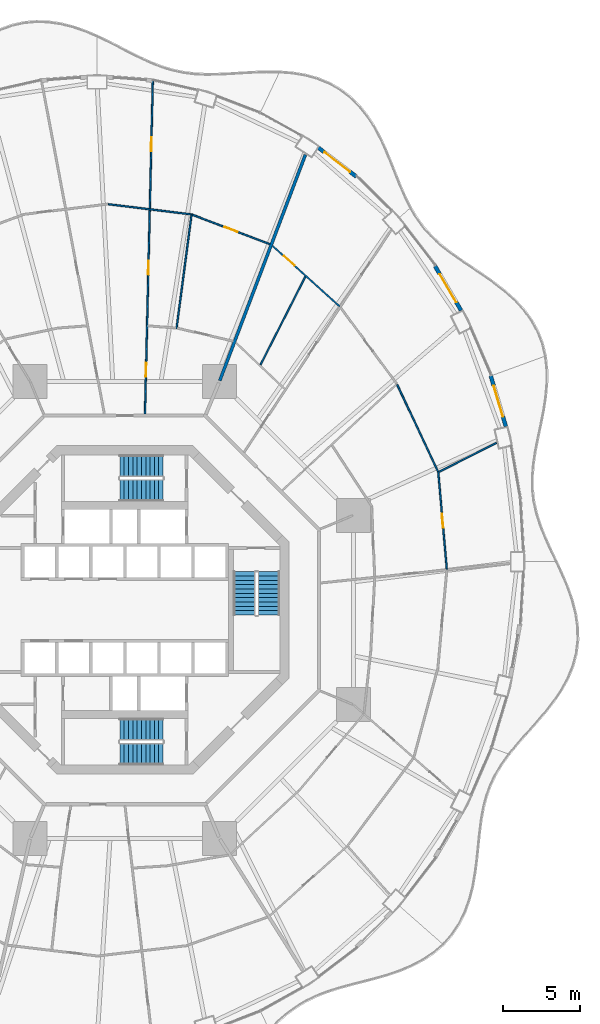
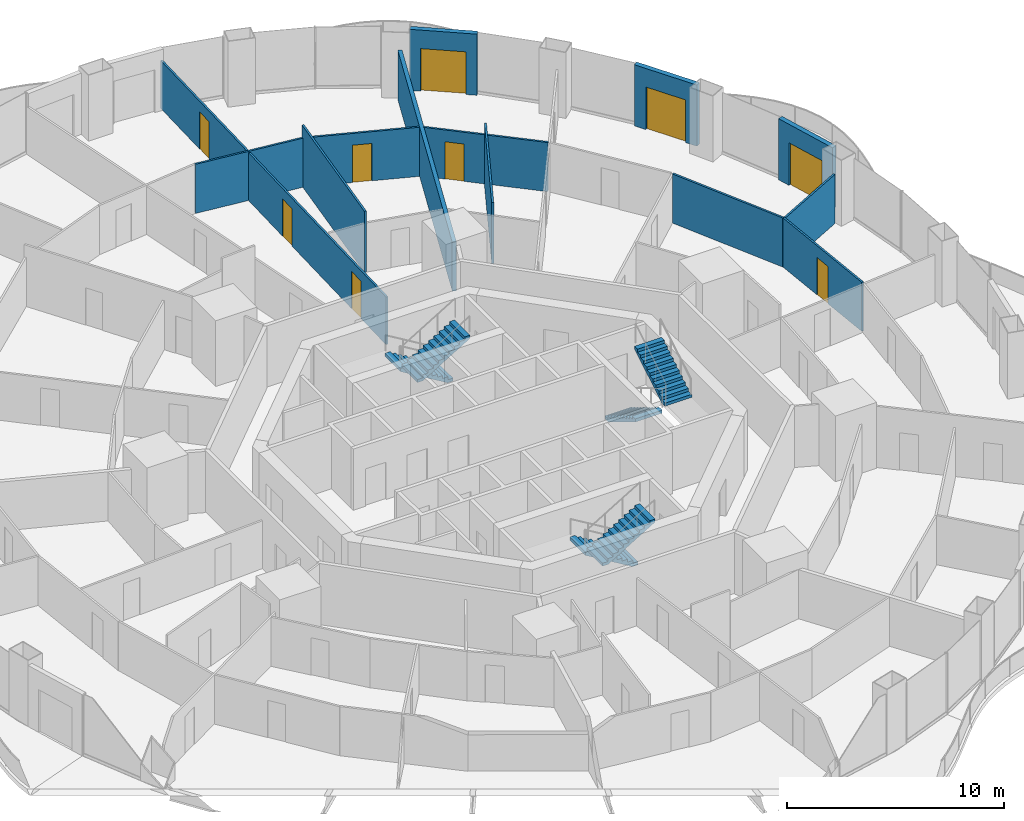
# One storey, part 19 of 22: 13 walls, 9 doors, 6 stair flights, 9 openings, 3 elements without a shape of their own.
"""IFC4 building model written with IfcOpenShell, lengths in metres."""

from ifc_helpers import new_model, si_unit, direction, frame, frame_2d, origin, place, context, subcontext, project, spatial, polyline, rectangle, outline, extrude, material, layer, layer_set, type_object, element, fill, aggregate, save


model = new_model("IFC4")

# Units and contexts
model_context = context("Model", 3, precision=1e-05, world=origin(), true_north=direction((0.0, 1.0)))
body_context = subcontext(model_context, "Body", "Model", "MODEL_VIEW")
ifc_project = project(units=[si_unit("LENGTHUNIT", "METRE"), si_unit("AREAUNIT", "SQUARE_METRE"), si_unit("VOLUMEUNIT", "CUBIC_METRE"), si_unit("PLANEANGLEUNIT", "RADIAN"), si_unit("MASSUNIT", "GRAM", prefix="KILO")], contexts=[model_context])

# Site, building, storey
site_placement = place(None, origin())
site = spatial("IfcSite", under=ifc_project, at=site_placement, CompositionType="ELEMENT")
building_placement = place(site_placement, origin())
building = spatial("IfcBuilding", under=site, at=building_placement, Name="Nagisa Residences", CompositionType="ELEMENT")
storey_placement = place(building_placement, frame((0.0, 0.0, 106.60009765625)))
storey = spatial("IfcBuildingStorey", under=building, at=storey_placement, Name="L26", CompositionType="ELEMENT", Elevation=106.60009765625)

# Wall
ifc_material_1 = material(Name="Gypsum board on steel studs", Category="steel")
ifc_layer_1 = layer(ifc_material_1, 0.199951171875)
ifc_layer_set_1 = layer_set([ifc_layer_1], Name="Apartment compartment wall EI60 200")
wall_type_1 = type_object("IfcWallType", Name="Apartment compartment wall EI60 200", PredefinedType="PARTITIONING", material=ifc_layer_set_1)
wall_1_placement = place(storey_placement, frame((6.140625, 14.828857421875, 0.0), z_axis=(0.0, 0.0, 1.0), x_axis=(0.354477134193, 0.935064682968, 0.0)))
element("IfcWall", 1, at=wall_1_placement, inside=storey, type_object=wall_type_1, Name="wall:L26:u01", PredefinedType="PARTITIONING", context=body_context, shape_type="SweptSolid", body=[
    extrude(rectangle(XDim=15.6259765625, YDim=0.199951171875, at=frame_2d((7.81298828125, 0.0))), origin(), (0.0, 0.0, 1.0), 2.761962890625),
])

# Wall, opening, door
ifc_material_2 = material(Name="Gypsum board on steel studs", Category="steel")
ifc_layer_2 = layer(ifc_material_2, 0.10009765625)
ifc_layer_set_2 = layer_set([ifc_layer_2], Name="Apartment partition 100")
wall_type_2 = type_object("IfcWallType", Name="Apartment partition 100", PredefinedType="PARTITIONING", material=ifc_layer_set_2)
wall_2_placement = place(storey_placement, frame((20.8251953125, 2.64208984375, 0.0), z_axis=(0.0, 0.0, 1.0), x_axis=(-0.08776338161, 0.996141349834, 0.0)))
wall_2 = element("IfcWall", 2, at=wall_2_placement, inside=storey, type_object=wall_type_2, Name="wall:L26:u19", PredefinedType="PARTITIONING", context=body_context, shape_type="SweptSolid", body=[
    extrude(rectangle(XDim=6.3369140625, YDim=0.10009765625, at=frame_2d((3.16845703125, 0.0))), origin(), (0.0, 0.0, 1.0), 2.761962890625),
])
opening_1_placement = place(wall_2_placement, frame((2.693603515625, 0.0, 0.0)))
opening_1 = element("IfcOpeningElement", 3, at=opening_1_placement, cuts=wall_2, Name="Opening L26-U13", PredefinedType="OPENING", context=body_context, shape_type="SweptSolid", body=[
    extrude(rectangle(XDim=0.89990234375, YDim=2.10009765625, at=frame_2d((0.449951171875, 1.050048828125))), frame((0.0, 0.06005859375, 0.0), z_axis=(0.0, -1.0, 0.0), x_axis=(1.0, 0.0, 0.0)), (0.0, 0.0, 1.0), 0.1201171875),
])
ifc_material_3 = material(Name="Timber door set", Category="wood")
door_type_1 = type_object("IfcDoorType", Name="Apartment door 900x2100", OperationType="NOTDEFINED", PredefinedType="DOOR", material=ifc_material_3)
door_1_placement = place(opening_1_placement, frame((0.89990234375, 0.0, 0.0), x_axis=(-1.0, 0.0, 0.0)))
door_1 = element("IfcDoor", 4, at=door_1_placement, inside=storey, type_object=door_type_1, Name="Door to bedroom, Apartment 26B", OperationType="SINGLE_SWING_RIGHT", OverallHeight=2.10009765625, OverallWidth=0.89990234375, PredefinedType="DOOR", context=body_context, shape_type="SweptSolid", body=[
    extrude(rectangle(XDim=0.89990234375, YDim=2.10009765625, at=frame_2d((0.449951171875, 1.050048828125))), frame((0.0, 0.02490234375, 0.0), z_axis=(0.0, -1.0, 0.0), x_axis=(1.0, 0.0, 0.0)), (0.0, 0.0, 1.0), 0.050048828125),
])
fill(opening_1, door_1)

# Walls
wall_3_placement = place(storey_placement, frame((20.318115234375, 8.92724609375, 0.0), z_axis=(0.0, 0.0, 1.0), x_axis=(0.892057836959, 0.451921249246, 0.0)))
element("IfcWall", 5, at=wall_3_placement, inside=storey, type_object=wall_type_2, Name="wall:L26:u23", PredefinedType="PARTITIONING", context=body_context, shape_type="SweptSolid", body=[
    extrude(rectangle(XDim=4.1640625, YDim=0.10009765625, at=frame_2d((2.08203125, 0.0))), origin(), (0.0, 0.0, 1.0), 2.761962890625),
])
wall_4_placement = place(storey_placement, frame((20.252197265625, 8.949951171875, 0.0), z_axis=(0.0, 0.0, 1.0), x_axis=(-0.424580052627, 0.90539040138, 0.0)))
element("IfcWall", 6, at=wall_4_placement, inside=storey, type_object=wall_type_2, Name="wall:L26:u24", PredefinedType="PARTITIONING", context=body_context, shape_type="SweptSolid", body=[
    extrude(rectangle(XDim=6.204345703125, YDim=0.10009765625, at=frame_2d((3.10205078125, 0.0))), origin(), (0.0, 0.0, 1.0), 2.761962890625),
])

# Wall, opening, door
wall_5_placement = place(storey_placement, frame((13.8984375, 19.625244140625, 0.0), z_axis=(0.0, 0.0, 1.0), x_axis=(-0.742396654702, 0.669960601146, 0.0)))
wall_5 = element("IfcWall", 7, at=wall_5_placement, inside=storey, type_object=wall_type_2, Name="wall:L26:u29", PredefinedType="PARTITIONING", context=body_context, shape_type="SweptSolid", body=[
    extrude(rectangle(XDim=5.861083984375, YDim=0.10009765625, at=frame_2d((2.9306640625, 0.0))), origin(), (0.0, 0.0, 1.0), 2.761962890625),
])
opening_2_placement = place(wall_5_placement, frame((3.95849609375, 0.0, 0.0)))
opening_2 = element("IfcOpeningElement", 8, at=opening_2_placement, cuts=wall_5, Name="Opening L26-U18", PredefinedType="OPENING", context=body_context, shape_type="SweptSolid", body=[
    extrude(rectangle(XDim=0.89990234375, YDim=2.10009765625, at=frame_2d((0.449951171875, 1.050048828125))), frame((0.0, 0.06005859375, 0.0), z_axis=(0.0, -1.0, 0.0), x_axis=(1.0, 0.0, 0.0)), (0.0, 0.0, 1.0), 0.1201171875),
])
door_2_placement = place(opening_2_placement, origin())
door_2 = element("IfcDoor", 9, at=door_2_placement, inside=storey, type_object=door_type_1, Name="Door to en-suite bathroom, Apartment 26B", OperationType="SINGLE_SWING_RIGHT", OverallHeight=2.10009765625, OverallWidth=0.89990234375, PredefinedType="DOOR", context=body_context, shape_type="SweptSolid", body=[
    extrude(rectangle(XDim=0.89990234375, YDim=2.10009765625, at=frame_2d((0.449951171875, 1.050048828125))), frame((0.0, 0.02490234375, 0.0), z_axis=(0.0, -1.0, 0.0), x_axis=(1.0, 0.0, 0.0)), (0.0, 0.0, 1.0), 0.050048828125),
])
fill(opening_2, door_2)

# Wall
wall_6_placement = place(storey_placement, frame((8.769287109375, 15.84619140625, 0.0), z_axis=(0.0, 0.0, 1.0), x_axis=(0.454067187552, 0.890967445639, 0.0)))
element("IfcWall", 10, at=wall_6_placement, inside=storey, type_object=wall_type_2, Name="wall:L26:u30", PredefinedType="PARTITIONING", context=body_context, shape_type="SweptSolid", body=[
    extrude(rectangle(XDim=6.413818359375, YDim=0.10009765625, at=frame_2d((3.20703125, 0.0))), origin(), (0.0, 0.0, 1.0), 3.43994140625),
])

# Wall, opening, door
wall_7_placement = place(storey_placement, frame((9.37939453125, 23.654541015625, 0.0), z_axis=(0.0, 0.0, 1.0), x_axis=(-0.934613076136, 0.355666132653, 0.0)))
wall_7 = element("IfcWall", 11, at=wall_7_placement, inside=storey, type_object=wall_type_2, Name="wall:L26:u32", PredefinedType="PARTITIONING", context=body_context, shape_type="SweptSolid", body=[
    extrude(rectangle(XDim=5.366455078125, YDim=0.10009765625, at=frame_2d((2.68310546875, 0.0))), origin(), (0.0, 0.0, 1.0), 2.761962890625),
])
opening_3_placement = place(wall_7_placement, frame((2.2333984375, 0.0, 0.0)))
opening_3 = element("IfcOpeningElement", 12, at=opening_3_placement, cuts=wall_7, Name="Opening L26-U35", PredefinedType="OPENING", context=body_context, shape_type="SweptSolid", body=[
    extrude(rectangle(XDim=0.89990234375, YDim=2.10009765625, at=frame_2d((0.449951171875, 1.050048828125))), frame((0.0, 0.06005859375, 0.0), z_axis=(0.0, -1.0, 0.0), x_axis=(1.0, 0.0, 0.0)), (0.0, 0.0, 1.0), 0.1201171875),
])
door_3_placement = place(opening_3_placement, frame((0.89990234375, 0.0, 0.0), x_axis=(-1.0, 0.0, 0.0)))
door_3 = element("IfcDoor", 13, at=door_3_placement, inside=storey, type_object=door_type_1, Name="Door to family room, Apartment 26C", OperationType="SINGLE_SWING_RIGHT", OverallHeight=2.10009765625, OverallWidth=0.89990234375, PredefinedType="DOOR", context=body_context, shape_type="SweptSolid", body=[
    extrude(rectangle(XDim=0.89990234375, YDim=2.10009765625, at=frame_2d((0.449951171875, 1.050048828125))), frame((0.0, 0.02490234375, 0.0), z_axis=(0.0, -1.0, 0.0), x_axis=(1.0, 0.0, 0.0)), (0.0, 0.0, 1.0), 0.050048828125),
])
fill(opening_3, door_3)

# Walls
wall_8_placement = place(storey_placement, frame((3.342529296875, 18.18359375, 0.0), z_axis=(0.0, 0.0, 1.0), x_axis=(0.130596603503, 0.991435589009, 0.0)))
element("IfcWall", 14, at=wall_8_placement, inside=storey, type_object=wall_type_2, Name="wall:L26:u33", PredefinedType="PARTITIONING", context=body_context, shape_type="SweptSolid", body=[
    extrude(rectangle(XDim=7.51123046875, YDim=0.10009765625, at=frame_2d((3.755615234375, 0.0))), origin(), (0.0, 0.0, 1.0), 3.43994140625),
])
wall_9_placement = place(storey_placement, frame((4.267333984375, 25.587158203125, 0.0), z_axis=(0.0, 0.0, 1.0), x_axis=(-0.992576206119, 0.121624319302, 0.0)))
element("IfcWall", 15, at=wall_9_placement, inside=storey, type_object=wall_type_2, Name="wall:L26:u35", PredefinedType="PARTITIONING", context=body_context, shape_type="SweptSolid", body=[
    extrude(rectangle(XDim=5.37353515625, YDim=0.10009765625, at=frame_2d((2.686767578125, 0.0))), origin(), (0.0, 0.0, 1.0), 2.761962890625),
])

# Wall, openings, doors
wall_10_placement = place(storey_placement, frame((1.303466796875, 12.664794921875, 0.0), z_axis=(0.0, 0.0, 1.0), x_axis=(0.023564110689, 0.999722327793, 0.0)))
wall_10 = element("IfcWall", 16, at=wall_10_placement, inside=storey, type_object=wall_type_2, Name="wall:L26:u36", PredefinedType="PARTITIONING", context=body_context, shape_type="SweptSolid", body=[
    extrude(rectangle(XDim=21.664306640625, YDim=0.10009765625, at=frame_2d((10.83203125, 0.0))), origin(), (0.0, 0.0, 1.0), 2.68701171875),
])
opening_4_placement = place(wall_10_placement, frame((2.407470703125, 0.0, 0.0)))
opening_4 = element("IfcOpeningElement", 17, at=opening_4_placement, cuts=wall_10, Name="Opening L26-U26", PredefinedType="OPENING", context=body_context, shape_type="SweptSolid", body=[
    extrude(rectangle(XDim=0.89990234375, YDim=2.10009765625, at=frame_2d((0.449951171875, 1.050048828125))), frame((0.0, 0.06005859375, 0.0), z_axis=(0.0, -1.0, 0.0), x_axis=(1.0, 0.0, 0.0)), (0.0, 0.0, 1.0), 0.1201171875),
])
opening_5_placement = place(wall_10_placement, frame((9.03369140625, 0.0, 0.0)))
opening_5 = element("IfcOpeningElement", 18, at=opening_5_placement, cuts=wall_10, Name="Opening L26-U31", PredefinedType="OPENING", context=body_context, shape_type="SweptSolid", body=[
    extrude(rectangle(XDim=0.89990234375, YDim=2.10009765625, at=frame_2d((0.449951171875, 1.050048828125))), frame((0.0, 0.06005859375, 0.0), z_axis=(0.0, -1.0, 0.0), x_axis=(1.0, 0.0, 0.0)), (0.0, 0.0, 1.0), 0.1201171875),
])
opening_6_placement = place(wall_10_placement, frame((17.008544921875, 0.0, 0.0)))
opening_6 = element("IfcOpeningElement", 19, at=opening_6_placement, cuts=wall_10, Name="Opening L26-U36", PredefinedType="OPENING", context=body_context, shape_type="SweptSolid", body=[
    extrude(rectangle(XDim=0.89990234375, YDim=2.10009765625, at=frame_2d((0.449951171875, 1.050048828125))), frame((0.0, 0.06005859375, 0.0), z_axis=(0.0, -1.0, 0.0), x_axis=(1.0, 0.0, 0.0)), (0.0, 0.0, 1.0), 0.1201171875),
])
door_4_placement = place(opening_4_placement, frame((0.89990234375, 0.0, 0.0), x_axis=(-1.0, 0.0, 0.0)))
door_4 = element("IfcDoor", 20, at=door_4_placement, inside=storey, type_object=door_type_1, Name="Door to store, Apartment 26C", OperationType="SINGLE_SWING_LEFT", OverallHeight=2.10009765625, OverallWidth=0.89990234375, PredefinedType="DOOR", context=body_context, shape_type="SweptSolid", body=[
    extrude(rectangle(XDim=0.89990234375, YDim=2.10009765625, at=frame_2d((0.449951171875, 1.050048828125))), frame((0.0, 0.02490234375, 0.0), z_axis=(0.0, -1.0, 0.0), x_axis=(1.0, 0.0, 0.0)), (0.0, 0.0, 1.0), 0.050048828125),
])
fill(opening_4, door_4)
door_5_placement = place(opening_5_placement, frame((0.89990234375, 0.0, 0.0), x_axis=(-1.0, 0.0, 0.0)))
door_5 = element("IfcDoor", 21, at=door_5_placement, inside=storey, type_object=door_type_1, Name="Door to family bathroom, Apartment 26C", OperationType="SINGLE_SWING_RIGHT", OverallHeight=2.10009765625, OverallWidth=0.89990234375, PredefinedType="DOOR", context=body_context, shape_type="SweptSolid", body=[
    extrude(rectangle(XDim=0.89990234375, YDim=2.10009765625, at=frame_2d((0.449951171875, 1.050048828125))), frame((0.0, 0.02490234375, 0.0), z_axis=(0.0, -1.0, 0.0), x_axis=(1.0, 0.0, 0.0)), (0.0, 0.0, 1.0), 0.050048828125),
])
fill(opening_5, door_5)
door_6_placement = place(opening_6_placement, origin())
door_6 = element("IfcDoor", 22, at=door_6_placement, inside=storey, type_object=door_type_1, Name="Door to master bedroom, Apartment 26C", OperationType="SINGLE_SWING_RIGHT", OverallHeight=2.10009765625, OverallWidth=0.89990234375, PredefinedType="DOOR", context=body_context, shape_type="SweptSolid", body=[
    extrude(rectangle(XDim=0.89990234375, YDim=2.10009765625, at=frame_2d((0.449951171875, 1.050048828125))), frame((0.0, 0.02490234375, 0.0), z_axis=(0.0, -1.0, 0.0), x_axis=(1.0, 0.0, 0.0)), (0.0, 0.0, 1.0), 0.050048828125),
])
fill(opening_6, door_6)

# Wall, opening, door
ifc_material_4 = material(Name="Precast concrete C40/50", Category="concrete")
ifc_layer_3 = layer(ifc_material_4, 0.25)
ifc_layer_set_3 = layer_set([ifc_layer_3], Name="BALCONY DOOR WALL 250")
wall_type_3 = type_object("IfcWallType", Name="BALCONY DOOR WALL 250", PredefinedType="SOLIDWALL", material=ifc_layer_set_3)
wall_11_placement = place(storey_placement, frame((23.6669921875, 15.142333984375, 0.0), z_axis=(0.0, 0.0, 1.0), x_axis=(0.285882094477, -0.958264800594, 0.0)))
wall_11 = element("IfcWall", 23, at=wall_11_placement, inside=storey, type_object=wall_type_3, Name="wall:L26:bay02", PredefinedType="SOLIDWALL", context=body_context, shape_type="SweptSolid", body=[
    extrude(rectangle(XDim=3.423583984375, YDim=0.25, at=frame_2d((1.7119140625, 0.0))), origin(), (0.0, 0.0, 1.0), 3.43994140625),
])
opening_7_placement = place(wall_11_placement, frame((0.661865234375, 0.0, 0.0)))
opening_7 = element("IfcOpeningElement", 24, at=opening_7_placement, cuts=wall_11, Name="Opening BD-L26-01", PredefinedType="OPENING", context=body_context, shape_type="SweptSolid", body=[
    extrude(rectangle(XDim=2.10009765625, YDim=2.39990234375, at=frame_2d((1.050048828125, 1.199951171875))), frame((0.0, 0.135009765625, 0.0), z_axis=(0.0, -1.0, 0.0), x_axis=(1.0, 0.0, 0.0)), (0.0, 0.0, 1.0), 0.27001953125),
])
ifc_material_5 = material(Name="Aluminium and clear glass", Category="aluminium")
door_type_2 = type_object("IfcDoorType", Name="BALCONY SLIDING DOOR 2100x2400", OperationType="SLIDING_TO_LEFT", PredefinedType="DOOR", material=ifc_material_5)
door_7_placement = place(opening_7_placement, origin())
door_7 = element("IfcDoor", 25, at=door_7_placement, inside=storey, type_object=door_type_2, Name="door:L26:bay02", OperationType="SLIDING_TO_LEFT", OverallHeight=2.39990234375, OverallWidth=2.10009765625, PredefinedType="DOOR", context=body_context, shape_type="SweptSolid", body=[
    extrude(rectangle(XDim=2.10009765625, YDim=2.39990234375, at=frame_2d((1.050048828125, 1.199951171875))), frame((0.0, 0.02490234375, 0.0), z_axis=(0.0, -1.0, 0.0), x_axis=(1.0, 0.0, 0.0)), (0.0, 0.0, 1.0), 0.050048828125),
])
fill(opening_7, door_7)

wall_12_placement = place(storey_placement, frame((20.064208984375, 22.239501953125, 0.0), z_axis=(0.0, 0.0, 1.0), x_axis=(0.506297921217, -0.862358634775, 0.0)))
wall_12 = element("IfcWall", 26, at=wall_12_placement, inside=storey, type_object=wall_type_3, Name="wall:L26:bay04", PredefinedType="SOLIDWALL", context=body_context, shape_type="SweptSolid", body=[
    extrude(rectangle(XDim=3.32470703125, YDim=0.25, at=frame_2d((1.662353515625, 0.0))), origin(), (0.0, 0.0, 1.0), 3.43994140625),
])
opening_8_placement = place(wall_12_placement, frame((0.6123046875, 0.0, 0.0)))
opening_8 = element("IfcOpeningElement", 27, at=opening_8_placement, cuts=wall_12, Name="Opening BD-L26-02", PredefinedType="OPENING", context=body_context, shape_type="SweptSolid", body=[
    extrude(rectangle(XDim=2.10009765625, YDim=2.39990234375, at=frame_2d((1.050048828125, 1.199951171875))), frame((0.0, 0.135009765625, 0.0), z_axis=(0.0, -1.0, 0.0), x_axis=(1.0, 0.0, 0.0)), (0.0, 0.0, 1.0), 0.27001953125),
])
door_8_placement = place(opening_8_placement, origin())
door_8 = element("IfcDoor", 28, at=door_8_placement, inside=storey, type_object=door_type_2, Name="door:L26:bay04", OperationType="SLIDING_TO_LEFT", OverallHeight=2.39990234375, OverallWidth=2.10009765625, PredefinedType="DOOR", context=body_context, shape_type="SweptSolid", body=[
    extrude(rectangle(XDim=2.10009765625, YDim=2.39990234375, at=frame_2d((1.050048828125, 1.199951171875))), frame((0.0, 0.02490234375, 0.0), z_axis=(0.0, -1.0, 0.0), x_axis=(1.0, 0.0, 0.0)), (0.0, 0.0, 1.0), 0.050048828125),
])
fill(opening_8, door_8)

wall_13_placement = place(storey_placement, frame((12.4892578125, 29.91748046875, 0.0), z_axis=(0.0, 0.0, 1.0), x_axis=(0.796037575978, -0.605247203736, 0.0)))
wall_13 = element("IfcWall", 29, at=wall_13_placement, inside=storey, type_object=wall_type_3, Name="wall:L26:bay07", PredefinedType="SOLIDWALL", context=body_context, shape_type="SweptSolid", body=[
    extrude(rectangle(XDim=3.1337890625, YDim=0.25, at=frame_2d((1.56689453125, 0.0))), origin(), (0.0, 0.0, 1.0), 3.43994140625),
])
opening_9_placement = place(wall_13_placement, frame((0.51708984375, 0.0, 0.0)))
opening_9 = element("IfcOpeningElement", 30, at=opening_9_placement, cuts=wall_13, Name="Opening BD-L26-03", PredefinedType="OPENING", context=body_context, shape_type="SweptSolid", body=[
    extrude(rectangle(XDim=2.10009765625, YDim=2.39990234375, at=frame_2d((1.050048828125, 1.199951171875))), frame((0.0, 0.135009765625, 0.0), z_axis=(0.0, -1.0, 0.0), x_axis=(1.0, 0.0, 0.0)), (0.0, 0.0, 1.0), 0.27001953125),
])
door_9_placement = place(opening_9_placement, origin())
door_9 = element("IfcDoor", 31, at=door_9_placement, inside=storey, type_object=door_type_2, Name="door:L26:bay07", OperationType="SLIDING_TO_LEFT", OverallHeight=2.39990234375, OverallWidth=2.10009765625, PredefinedType="DOOR", context=body_context, shape_type="SweptSolid", body=[
    extrude(rectangle(XDim=2.10009765625, YDim=2.39990234375, at=frame_2d((1.050048828125, 1.199951171875))), frame((0.0, 0.02490234375, 0.0), z_axis=(0.0, -1.0, 0.0), x_axis=(1.0, 0.0, 0.0)), (0.0, 0.0, 1.0), 0.050048828125),
])
fill(opening_9, door_9)

# Stair, stair flights
ifc_material_6 = material(Name="Concrete C60", Category="concrete")
stair_type = type_object("IfcStairType", Name="Exit stair", PredefinedType="HALF_TURN_STAIR", material=ifc_material_6)
stair_1_placement = place(storey_placement, origin())
stair_1 = element("IfcStair", 32, at=stair_1_placement, inside=storey, type_object=stair_type, Name="L26 Exit stair E", PredefinedType="HALF_TURN_STAIR")
ifc_material_7 = material(Name="Concrete C60", Category="concrete")
stair_flight_type = type_object("IfcStairFlightType", Name="Exit stair flight", PredefinedType="STRAIGHT", material=ifc_material_7)
stair_flight_1_placement = place(storey_placement, frame((7.737060546875, 2.47509765625, 0.0), z_axis=(0.0, 0.0, 1.0), x_axis=(0.0, -1.0, 0.0)))
stair_flight_1 = element("IfcStairFlight", 33, at=stair_flight_1_placement, type_object=stair_flight_type, Name="ST-E flight 1", NumberOfRisers=11, NumberOfTreads=10, PredefinedType="STRAIGHT", RiserHeight=0.168181818, TreadLength=0.28, context=body_context, shape_type="SweptSolid", body=[
    extrude(outline(polyline([(0.0, 0.0), (0.0, 0.168212890625), (0.280029296875, 0.168212890625), (0.280029296875, 0.33642578125), (0.56005859375, 0.33642578125), (0.56005859375, 0.504638671875), (0.840087890625, 0.504638671875), (0.840087890625, 0.672607421875), (1.1201171875, 0.672607421875), (1.1201171875, 0.8408203125), (1.39990234375, 0.8408203125), (1.39990234375, 1.009033203125), (1.679931640625, 1.009033203125), (1.679931640625, 1.17724609375), (1.9599609375, 1.17724609375), (1.9599609375, 1.345458984375), (2.239990234375, 1.345458984375), (2.239990234375, 1.513671875), (2.52001953125, 1.513671875), (2.52001953125, 1.681884765625), (2.800048828125, 1.681884765625), (2.800048828125, 1.85009765625), (2.800048828125, 1.5068359375), (0.291015625, 0.0), (0.0, 0.0)])), frame((0.0, 0.71240234375, 0.0), z_axis=(0.0, -1.0, 0.0), x_axis=(1.0, 0.0, 0.0)), (0.0, 0.0, 1.0), 1.425048828125),
])
stair_flight_2_placement = place(storey_placement, frame((9.31201171875, -0.324951171875, 1.849853515625), z_axis=(0.0, 0.0, 1.0), x_axis=(0.0, 1.0, 0.0)))
stair_flight_2 = element("IfcStairFlight", 34, at=stair_flight_2_placement, type_object=stair_flight_type, Name="ST-E flight 2", NumberOfRisers=11, NumberOfTreads=10, PredefinedType="STRAIGHT", RiserHeight=0.168181818, TreadLength=0.28, context=body_context, shape_type="SweptSolid", body=[
    extrude(outline(polyline([(0.0, 0.0), (0.0, 0.168212890625), (0.280029296875, 0.168212890625), (0.280029296875, 0.33642578125), (0.56005859375, 0.33642578125), (0.56005859375, 0.504638671875), (0.840087890625, 0.504638671875), (0.840087890625, 0.672607421875), (1.1201171875, 0.672607421875), (1.1201171875, 0.8408203125), (1.39990234375, 0.8408203125), (1.39990234375, 1.009033203125), (1.679931640625, 1.009033203125), (1.679931640625, 1.17724609375), (1.9599609375, 1.17724609375), (1.9599609375, 1.345458984375), (2.239990234375, 1.345458984375), (2.239990234375, 1.513671875), (2.52001953125, 1.513671875), (2.52001953125, 1.681884765625), (2.800048828125, 1.681884765625), (2.800048828125, 1.85009765625), (2.800048828125, 1.5068359375), (0.291015625, 0.0), (0.0, 0.0)])), frame((0.0, 0.71240234375, 0.0), z_axis=(0.0, -1.0, 0.0), x_axis=(1.0, 0.0, 0.0)), (0.0, 0.0, 1.0), 1.425048828125),
])
aggregate(stair_1, [stair_flight_1, stair_flight_2])

stair_2_placement = place(storey_placement, origin())
stair_2 = element("IfcStair", 35, at=stair_2_placement, inside=storey, type_object=stair_type, Name="L26 Exit stair N", PredefinedType="HALF_TURN_STAIR")
stair_flight_3_placement = place(storey_placement, frame((2.47509765625, 9.31201171875, 0.0), z_axis=(0.0, 0.0, 1.0), x_axis=(-1.0, 0.0, 0.0)))
stair_flight_3 = element("IfcStairFlight", 36, at=stair_flight_3_placement, type_object=stair_flight_type, Name="ST-N flight 1", NumberOfRisers=11, NumberOfTreads=10, PredefinedType="STRAIGHT", RiserHeight=0.168181818, TreadLength=0.28, context=body_context, shape_type="SweptSolid", body=[
    extrude(outline(polyline([(0.0, 0.0), (0.0, 0.168212890625), (0.280029296875, 0.168212890625), (0.280029296875, 0.33642578125), (0.56005859375, 0.33642578125), (0.56005859375, 0.504638671875), (0.840087890625, 0.504638671875), (0.840087890625, 0.672607421875), (1.1201171875, 0.672607421875), (1.1201171875, 0.8408203125), (1.39990234375, 0.8408203125), (1.39990234375, 1.009033203125), (1.679931640625, 1.009033203125), (1.679931640625, 1.17724609375), (1.9599609375, 1.17724609375), (1.9599609375, 1.345458984375), (2.239990234375, 1.345458984375), (2.239990234375, 1.513671875), (2.52001953125, 1.513671875), (2.52001953125, 1.681884765625), (2.800048828125, 1.681884765625), (2.800048828125, 1.85009765625), (2.800048828125, 1.5068359375), (0.291015625, 0.0), (0.0, 0.0)])), frame((0.0, 0.71240234375, 0.0), z_axis=(0.0, -1.0, 0.0), x_axis=(1.0, 0.0, 0.0)), (0.0, 0.0, 1.0), 1.425048828125),
])
stair_flight_4_placement = place(storey_placement, frame((-0.324951171875, 7.737060546875, 1.849853515625), z_axis=(0.0, 0.0, 1.0), x_axis=(1.0, 0.0, 0.0)))
stair_flight_4 = element("IfcStairFlight", 37, at=stair_flight_4_placement, type_object=stair_flight_type, Name="ST-N flight 2", NumberOfRisers=11, NumberOfTreads=10, PredefinedType="STRAIGHT", RiserHeight=0.168181818, TreadLength=0.28, context=body_context, shape_type="SweptSolid", body=[
    extrude(outline(polyline([(0.0, 0.0), (0.0, 0.168212890625), (0.280029296875, 0.168212890625), (0.280029296875, 0.33642578125), (0.56005859375, 0.33642578125), (0.56005859375, 0.504638671875), (0.840087890625, 0.504638671875), (0.840087890625, 0.672607421875), (1.1201171875, 0.672607421875), (1.1201171875, 0.8408203125), (1.39990234375, 0.8408203125), (1.39990234375, 1.009033203125), (1.679931640625, 1.009033203125), (1.679931640625, 1.17724609375), (1.9599609375, 1.17724609375), (1.9599609375, 1.345458984375), (2.239990234375, 1.345458984375), (2.239990234375, 1.513671875), (2.52001953125, 1.513671875), (2.52001953125, 1.681884765625), (2.800048828125, 1.681884765625), (2.800048828125, 1.85009765625), (2.800048828125, 1.5068359375), (0.291015625, 0.0), (0.0, 0.0)])), frame((0.0, 0.71240234375, 0.0), z_axis=(0.0, -1.0, 0.0), x_axis=(1.0, 0.0, 0.0)), (0.0, 0.0, 1.0), 1.425048828125),
])
aggregate(stair_2, [stair_flight_3, stair_flight_4])

stair_3_placement = place(storey_placement, origin())
stair_3 = element("IfcStair", 38, at=stair_3_placement, inside=storey, type_object=stair_type, Name="L26 Exit stair S", PredefinedType="HALF_TURN_STAIR")
stair_flight_5_placement = place(storey_placement, frame((2.47509765625, -7.737060546875, 0.0), z_axis=(0.0, 0.0, 1.0), x_axis=(-1.0, 0.0, 0.0)))
stair_flight_5 = element("IfcStairFlight", 39, at=stair_flight_5_placement, type_object=stair_flight_type, Name="ST-S flight 1", NumberOfRisers=11, NumberOfTreads=10, PredefinedType="STRAIGHT", RiserHeight=0.168181818, TreadLength=0.28, context=body_context, shape_type="SweptSolid", body=[
    extrude(outline(polyline([(0.0, 0.0), (0.0, 0.168212890625), (0.280029296875, 0.168212890625), (0.280029296875, 0.33642578125), (0.56005859375, 0.33642578125), (0.56005859375, 0.504638671875), (0.840087890625, 0.504638671875), (0.840087890625, 0.672607421875), (1.1201171875, 0.672607421875), (1.1201171875, 0.8408203125), (1.39990234375, 0.8408203125), (1.39990234375, 1.009033203125), (1.679931640625, 1.009033203125), (1.679931640625, 1.17724609375), (1.9599609375, 1.17724609375), (1.9599609375, 1.345458984375), (2.239990234375, 1.345458984375), (2.239990234375, 1.513671875), (2.52001953125, 1.513671875), (2.52001953125, 1.681884765625), (2.800048828125, 1.681884765625), (2.800048828125, 1.85009765625), (2.800048828125, 1.5068359375), (0.291015625, 0.0), (0.0, 0.0)])), frame((0.0, 0.71240234375, 0.0), z_axis=(0.0, -1.0, 0.0), x_axis=(1.0, 0.0, 0.0)), (0.0, 0.0, 1.0), 1.425048828125),
])
stair_flight_6_placement = place(storey_placement, frame((-0.324951171875, -9.31201171875, 1.849853515625), z_axis=(0.0, 0.0, 1.0), x_axis=(1.0, 0.0, 0.0)))
stair_flight_6 = element("IfcStairFlight", 40, at=stair_flight_6_placement, type_object=stair_flight_type, Name="ST-S flight 2", NumberOfRisers=11, NumberOfTreads=10, PredefinedType="STRAIGHT", RiserHeight=0.168181818, TreadLength=0.28, context=body_context, shape_type="SweptSolid", body=[
    extrude(outline(polyline([(0.0, 0.0), (0.0, 0.168212890625), (0.280029296875, 0.168212890625), (0.280029296875, 0.33642578125), (0.56005859375, 0.33642578125), (0.56005859375, 0.504638671875), (0.840087890625, 0.504638671875), (0.840087890625, 0.672607421875), (1.1201171875, 0.672607421875), (1.1201171875, 0.8408203125), (1.39990234375, 0.8408203125), (1.39990234375, 1.009033203125), (1.679931640625, 1.009033203125), (1.679931640625, 1.17724609375), (1.9599609375, 1.17724609375), (1.9599609375, 1.345458984375), (2.239990234375, 1.345458984375), (2.239990234375, 1.513671875), (2.52001953125, 1.513671875), (2.52001953125, 1.681884765625), (2.800048828125, 1.681884765625), (2.800048828125, 1.85009765625), (2.800048828125, 1.5068359375), (0.291015625, 0.0), (0.0, 0.0)])), frame((0.0, 0.71240234375, 0.0), z_axis=(0.0, -1.0, 0.0), x_axis=(1.0, 0.0, 0.0)), (0.0, 0.0, 1.0), 1.425048828125),
])
aggregate(stair_3, [stair_flight_5, stair_flight_6])

save(model, "model.ifc")
